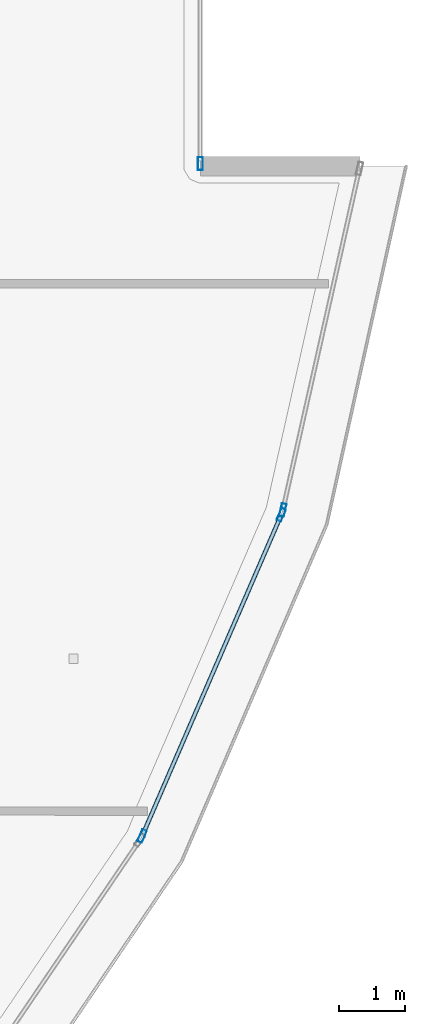
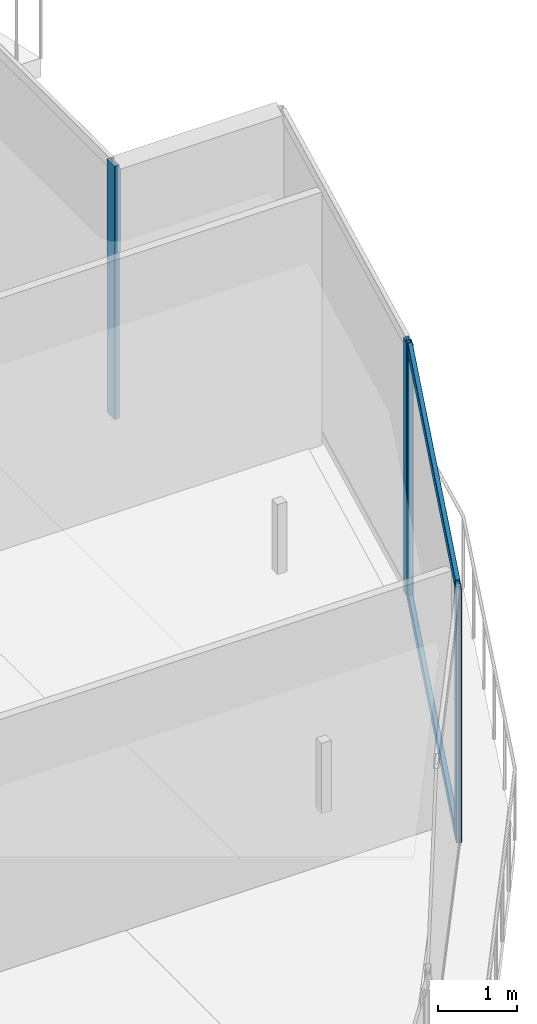
# One storey, part 9 of 29: 6 members, 3 elements without a shape of their own.
"""IFC4 building model written with IfcOpenShell, lengths in metres."""

from ifc_helpers import new_model, si_unit, direction, frame, origin, origin_2d, place, context, subcontext, project, spatial, hollow_rectangle, extrude, material, layer, layer_set, material_profile, profile_set, type_object, element, aggregate, save


model = new_model("IFC4")

# Units and contexts
model_context = context("Model", 3, precision=1e-05, world=origin(), true_north=direction((0.0, 1.0)))
body_context = subcontext(model_context, "Body", "Model", "MODEL_VIEW")
ifc_project = project(units=[si_unit("LENGTHUNIT", "METRE"), si_unit("AREAUNIT", "SQUARE_METRE"), si_unit("VOLUMEUNIT", "CUBIC_METRE"), si_unit("PLANEANGLEUNIT", "RADIAN"), si_unit("MASSUNIT", "GRAM", prefix="KILO")], contexts=[model_context])

# Site, building, storey
site_placement = place(None, origin())
site = spatial("IfcSite", under=ifc_project, at=site_placement, CompositionType="ELEMENT")
building_placement = place(site_placement, origin())
building = spatial("IfcBuilding", under=site, at=building_placement, Name="Qorvath Tower", CompositionType="ELEMENT")
storey_placement = place(building_placement, frame((0.0, 0.0, 285.0)))
storey = spatial("IfcBuildingStorey", under=building, at=storey_placement, Name="L66", CompositionType="ELEMENT", Elevation=285.0)

# Curtain wall, members
ifc_material_1 = material(Name="Anodised aluminium and triple low-E glass", Category="aluminium")
ifc_layer = layer(ifc_material_1, 0.179931640625)
ifc_layer_set = layer_set([ifc_layer], Name="CW-SYS-4")
curtain_wall_type = type_object("IfcCurtainWallType", Name="CW-SYS-4", PredefinedType="NOTDEFINED", material=ifc_layer_set)
curtain_wall_1_placement = place(storey_placement, origin())
curtain_wall_1 = element("IfcCurtainWall", 1, at=curtain_wall_1_placement, inside=storey, type_object=curtain_wall_type, Name="Curtain Wall CW-4 CW-T-L66-6.1", PredefinedType="NOTDEFINED")
ifc_material_2 = material(Name="Anodised aluminium 6063-T6", Category="aluminium")
ifc_material_profile_1 = material_profile(ifc_material_2, hollow_rectangle(XDim=0.074951171875, YDim=0.199951171875, WallThickness=0.00390625, InnerFilletRadius=0.00390625, OuterFilletRadius=0.008056640625, at=origin_2d()), Name="CWM 200x75")
ifc_profile_set_1 = profile_set([ifc_material_profile_1], Name="Anodised aluminium 6063-T6")
member_type_1 = type_object("IfcMemberType", Name="CWM-200", PredefinedType="MULLION", material=ifc_profile_set_1)
member_1_placement = place(storey_placement, frame((-5.439208984375, -13.873779296875, 0.0), z_axis=(0.0, 0.0, 1.0), x_axis=(-0.917598288083, 0.397508970599, 0.0)))
member_1 = element("IfcMember", 2, at=member_1_placement, type_object=member_type_1, Name="CW-4 mullion 1", PredefinedType="MULLION", context=body_context, shape_type="SweptSolid", body=[
    extrude(hollow_rectangle(XDim=0.074951171875, YDim=0.199951171875, WallThickness=0.00390625, InnerFilletRadius=0.00390625, OuterFilletRadius=0.008056640625, at=origin_2d()), origin(), (0.0, 0.0, 1.0), 3.909912109375),
])
member_2_placement = place(storey_placement, frame((-3.31640625, -8.9736328125, 0.0), z_axis=(0.0, 0.0, 1.0), x_axis=(-0.917598288083, 0.397508970599, 0.0)))
member_2 = element("IfcMember", 3, at=member_2_placement, type_object=member_type_1, Name="CW-4 mullion 2", PredefinedType="MULLION", context=body_context, shape_type="SweptSolid", body=[
    extrude(hollow_rectangle(XDim=0.074951171875, YDim=0.199951171875, WallThickness=0.00390625, InnerFilletRadius=0.00390625, OuterFilletRadius=0.008056640625, at=origin_2d()), origin(), (0.0, 0.0, 1.0), 3.909912109375),
])

# Curtain wall, member
curtain_wall_2_placement = place(storey_placement, origin())
curtain_wall_2 = element("IfcCurtainWall", 4, at=curtain_wall_2_placement, inside=storey, type_object=curtain_wall_type, Name="Curtain Wall CW-4 CW-T-L66-7.1", PredefinedType="NOTDEFINED")
member_3_placement = place(storey_placement, frame((-3.293212890625, -8.902587890625, 0.0), z_axis=(0.0, 0.0, 1.0), x_axis=(-0.975687408116, 0.219166789554, 0.0)))
member_3 = element("IfcMember", 5, at=member_3_placement, type_object=member_type_1, Name="CW-4 mullion 1", PredefinedType="MULLION", context=body_context, shape_type="SweptSolid", body=[
    extrude(hollow_rectangle(XDim=0.074951171875, YDim=0.199951171875, WallThickness=0.00390625, InnerFilletRadius=0.00390625, OuterFilletRadius=0.008056640625, at=origin_2d()), origin(), (0.0, 0.0, 1.0), 3.909912109375),
])
aggregate(curtain_wall_2, [member_3])

curtain_wall_3_placement = place(storey_placement, origin())
curtain_wall_3 = element("IfcCurtainWall", 6, at=curtain_wall_3_placement, inside=storey, type_object=curtain_wall_type, Name="Curtain Wall CW-4 CW-T-L66-9.1", PredefinedType="NOTDEFINED")
member_4_placement = place(storey_placement, frame((-4.552001953125, -3.618408203125, 0.0), z_axis=(0.0, 0.0, 1.0), x_axis=(-1.0, 0.0, 0.0)))
member_4 = element("IfcMember", 7, at=member_4_placement, type_object=member_type_1, Name="CW-4 mullion 1", PredefinedType="MULLION", context=body_context, shape_type="SweptSolid", body=[
    extrude(hollow_rectangle(XDim=0.074951171875, YDim=0.199951171875, WallThickness=0.00390625, InnerFilletRadius=0.00390625, OuterFilletRadius=0.008056640625, at=origin_2d()), origin(), (0.0, 0.0, 1.0), 3.909912109375),
])
aggregate(curtain_wall_3, [member_4])

# Member
ifc_material_3 = material(Name="Anodised aluminium 6063-T6", Category="aluminium")
ifc_material_profile_2 = material_profile(ifc_material_3, hollow_rectangle(XDim=0.06494140625, YDim=0.159912109375, WallThickness=0.00341796875, InnerFilletRadius=0.00341796875, OuterFilletRadius=0.007080078125, at=origin_2d()), Name="CWT 160x65")
ifc_profile_set_2 = profile_set([ifc_material_profile_2], Name="Anodised aluminium 6063-T6")
member_type_2 = type_object("IfcMemberType", Name="CWT-160", PredefinedType="USERDEFINED", material=ifc_profile_set_2)
member_5_placement = place(storey_placement, frame((-5.42431640625, -13.83935546875, 0.032470703125), z_axis=(0.397520250234, 0.917593401597, 0.0), x_axis=(-0.917593401597, 0.397520250234, 0.0)))
member_5 = element("IfcMember", 8, at=member_5_placement, type_object=member_type_2, Name="CW-4 transom 1.1", ObjectType="TRANSOM", PredefinedType="USERDEFINED", context=body_context, shape_type="SweptSolid", body=[
    extrude(hollow_rectangle(XDim=0.06494140625, YDim=0.159912109375, WallThickness=0.00341796875, InnerFilletRadius=0.00341796875, OuterFilletRadius=0.007080078125, at=origin_2d()), origin(), (0.0, 0.0, 1.0), 5.26513671875),
])

member_6_placement = place(storey_placement, frame((-5.42431640625, -13.83935546875, 3.87744140625), z_axis=(0.397520250234, 0.917593401597, 0.0), x_axis=(-0.917593401597, 0.397520250234, 0.0)))
member_6 = element("IfcMember", 9, at=member_6_placement, type_object=member_type_2, Name="CW-4 transom 1.2", ObjectType="TRANSOM", PredefinedType="USERDEFINED", context=body_context, shape_type="SweptSolid", body=[
    extrude(hollow_rectangle(XDim=0.06494140625, YDim=0.159912109375, WallThickness=0.00341796875, InnerFilletRadius=0.00341796875, OuterFilletRadius=0.007080078125, at=origin_2d()), origin(), (0.0, 0.0, 1.0), 5.26513671875),
])

aggregate(curtain_wall_1, [member_1, member_2, member_5, member_6])

save(model, "model.ifc")
